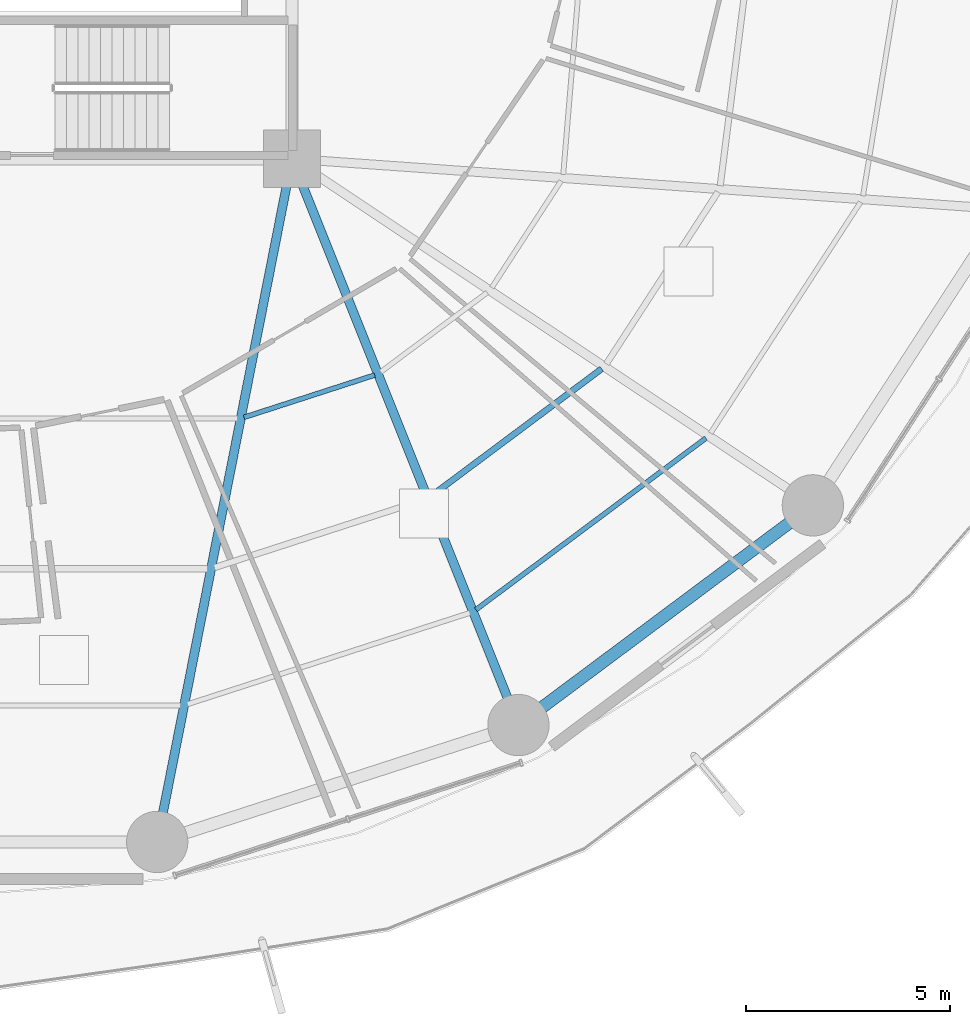
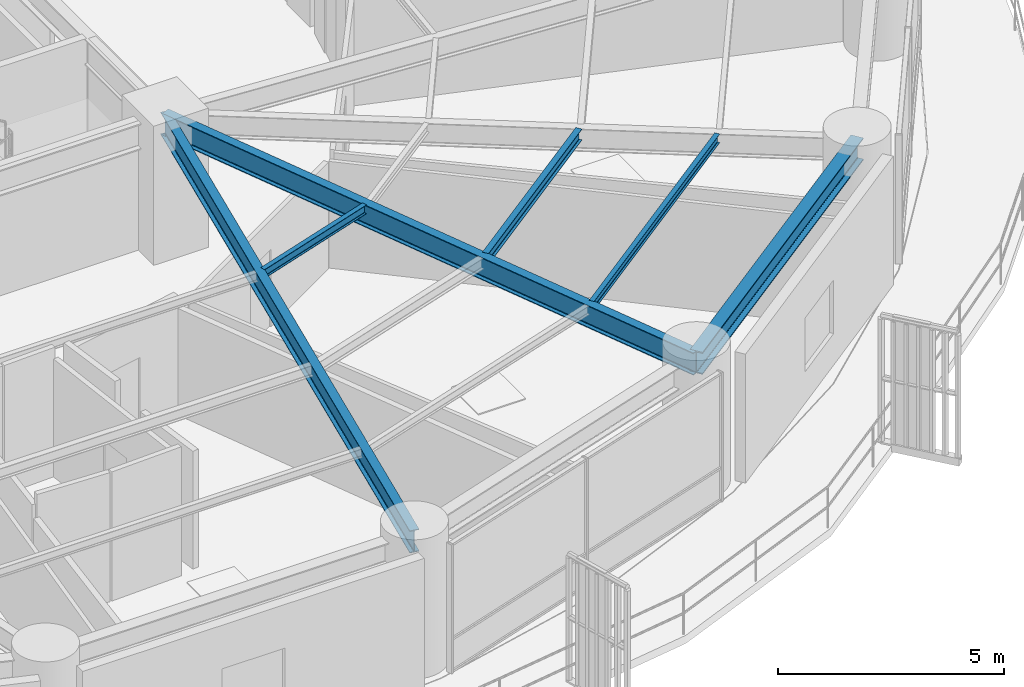
# One storey, part 9 of 33: 6 beams.
"""IFC4 building model written with IfcOpenShell, lengths in metres."""

from ifc_helpers import new_model, si_unit, direction, frame, origin, origin_2d, place, context, subcontext, project, spatial, i_section, extrude, material, material_profile, profile_set, type_object, element, save


model = new_model("IFC4")

# Units and contexts
model_context = context("Model", 3, precision=1e-05, world=origin(), true_north=direction((0.0, 1.0)))
body_context = subcontext(model_context, "Body", "Model", "MODEL_VIEW")
ifc_project = project(units=[si_unit("LENGTHUNIT", "METRE"), si_unit("AREAUNIT", "SQUARE_METRE"), si_unit("VOLUMEUNIT", "CUBIC_METRE"), si_unit("PLANEANGLEUNIT", "RADIAN"), si_unit("MASSUNIT", "GRAM", prefix="KILO")], contexts=[model_context])

# Site, building, storey
site_placement = place(None, origin())
site = spatial("IfcSite", under=ifc_project, at=site_placement, CompositionType="ELEMENT")
building_placement = place(site_placement, origin())
building = spatial("IfcBuilding", under=site, at=building_placement, Name="Kelanora Arch Commons", CompositionType="ELEMENT")
storey_placement = place(building_placement, frame((0.0, 0.0, 45.0)))
storey = spatial("IfcBuildingStorey", under=building, at=storey_placement, Name="L11", CompositionType="ELEMENT", Elevation=45.0)

# Beams
ifc_material = material(Name="Steel S355", Category="steel")
ifc_material_profile_1 = material_profile(ifc_material, i_section(OverallWidth=0.14990234375, OverallDepth=0.300048828125, WebThickness=0.007080078125, FlangeThickness=0.0107421875, FilletRadius=0.014892578125, at=origin_2d()), Name="IPE300")
ifc_profile_set_1 = profile_set([ifc_material_profile_1], Name="Steel S355")
beam_type_1 = type_object("IfcBeamType", Name="BM-JST-01", PredefinedType="JOIST", material=ifc_profile_set_1)
beam_1_placement = place(storey_placement, frame((85.39208984375, 42.738525390625, 3.340087890625), z_axis=(0.801478251559, 0.598023922831, 0.0), x_axis=(-0.598023922831, 0.801478251559, 0.0)))
element("IfcBeam", 1, at=beam_1_placement, inside=storey, type_object=beam_type_1, Name="Secondary Chord Joist BJB-30 L11", PredefinedType="JOIST", context=body_context, shape_type="SweptSolid", body=[
    extrude(i_section(OverallWidth=0.14990234375, OverallDepth=0.300048828125, WebThickness=0.007080078125, FlangeThickness=0.0107421875, FilletRadius=0.014892578125, at=origin_2d()), origin(), (0.0, 0.0, 1.0), 5.223388671875),
])
ifc_material_profile_2 = material_profile(ifc_material, i_section(OverallWidth=0.1201171875, OverallDepth=0.239990234375, WebThickness=0.006103515625, FlangeThickness=0.009765625, FilletRadius=0.014892578125, at=origin_2d()), Name="IPE240")
ifc_profile_set_2 = profile_set([ifc_material_profile_2], Name="Steel S355")
beam_type_2 = type_object("IfcBeamType", Name="BM-JST-02", PredefinedType="JOIST", material=ifc_profile_set_2)
beam_2_placement = place(storey_placement, frame((80.827880859375, 44.6748046875, 3.3701171875), z_axis=(0.951422608074, 0.30788800049, 0.0), x_axis=(-0.30788800049, 0.951422608074, 0.0)))
element("IfcBeam", 2, at=beam_2_placement, inside=storey, type_object=beam_type_2, Name="Secondary Chord Joist BJA-28 L11", PredefinedType="JOIST", context=body_context, shape_type="SweptSolid", body=[
    extrude(i_section(OverallWidth=0.1201171875, OverallDepth=0.239990234375, WebThickness=0.006103515625, FlangeThickness=0.009765625, FilletRadius=0.014892578125, at=origin_2d()), origin(), (0.0, 0.0, 1.0), 3.359619140625),
])
beam_3_placement = place(storey_placement, frame((86.5, 39.9677734375, 3.3701171875), z_axis=(0.80149131963, 0.598006408459, 0.0), x_axis=(-0.598006408459, 0.80149131963, 0.0)))
element("IfcBeam", 3, at=beam_3_placement, inside=storey, type_object=beam_type_2, Name="Secondary Chord Joist BJC-30 L11", PredefinedType="JOIST", context=body_context, shape_type="SweptSolid", body=[
    extrude(i_section(OverallWidth=0.1201171875, OverallDepth=0.239990234375, WebThickness=0.006103515625, FlangeThickness=0.009765625, FilletRadius=0.014892578125, at=origin_2d()), origin(), (0.0, 0.0, 1.0), 7.021240234375),
])
ifc_material_profile_3 = material_profile(ifc_material, i_section(OverallWidth=0.219970703125, OverallDepth=0.60009765625, WebThickness=0.011962890625, FlangeThickness=0.01904296875, FilletRadius=0.02392578125, at=origin_2d()), Name="IPE600")
ifc_profile_set_3 = profile_set([ifc_material_profile_3], Name="Steel S355")
beam_type_3 = type_object("IfcBeamType", Name="BM-RAD-Z1", PredefinedType="BEAM", material=ifc_profile_set_3)
beam_4_placement = place(storey_placement, frame((82.0, 51.0, 3.18994140625), z_axis=(-0.19356352044, -0.981087745084, 0.0), x_axis=(0.981087745084, -0.19356352044, 0.0)))
element("IfcBeam", 4, at=beam_4_placement, inside=storey, type_object=beam_type_3, Name="Radial Floor Girder BR-28 L11", PredefinedType="BEAM", context=body_context, shape_type="SweptSolid", body=[
    extrude(i_section(OverallWidth=0.219970703125, OverallDepth=0.60009765625, WebThickness=0.011962890625, FlangeThickness=0.01904296875, FilletRadius=0.02392578125, at=origin_2d()), origin(), (0.0, 0.0, 1.0), 17.036376953125),
])
beam_5_placement = place(storey_placement, frame((82.0, 51.0, 3.18994140625), z_axis=(0.371300398117, -0.928512797089, 0.0), x_axis=(0.928512797089, 0.371300398117, 0.0)))
element("IfcBeam", 5, at=beam_5_placement, inside=storey, type_object=beam_type_3, Name="Radial Floor Girder BR-30 L11", PredefinedType="BEAM", context=body_context, shape_type="SweptSolid", body=[
    extrude(i_section(OverallWidth=0.219970703125, OverallDepth=0.60009765625, WebThickness=0.011962890625, FlangeThickness=0.01904296875, FilletRadius=0.02392578125, at=origin_2d()), origin(), (0.0, 0.0, 1.0), 14.920654296875),
])
ifc_material_profile_4 = material_profile(ifc_material, i_section(OverallWidth=0.300048828125, OverallDepth=0.60009765625, WebThickness=0.015380859375, FlangeThickness=0.030029296875, FilletRadius=0.027099609375, at=origin_2d()), Name="HEB600")
ifc_profile_set_4 = profile_set([ifc_material_profile_4], Name="Steel S355")
beam_type_4 = type_object("IfcBeamType", Name="BM-SPN-Z1", PredefinedType="SPANDREL", material=ifc_profile_set_4)
beam_6_placement = place(storey_placement, frame((87.5400390625, 37.14599609375, 3.18994140625), z_axis=(0.801467504127, 0.598038326388, 0.0), x_axis=(-0.598038326388, 0.801467504127, 0.0)))
element("IfcBeam", 6, at=beam_6_placement, inside=storey, type_object=beam_type_4, Name="Perimeter Spandrel Beam BS-30 L11", PredefinedType="SPANDREL", context=body_context, shape_type="SweptSolid", body=[
    extrude(i_section(OverallWidth=0.300048828125, OverallDepth=0.60009765625, WebThickness=0.015380859375, FlangeThickness=0.030029296875, FilletRadius=0.027099609375, at=origin_2d()), origin(), (0.0, 0.0, 1.0), 8.989013671875),
])

save(model, "model.ifc")
